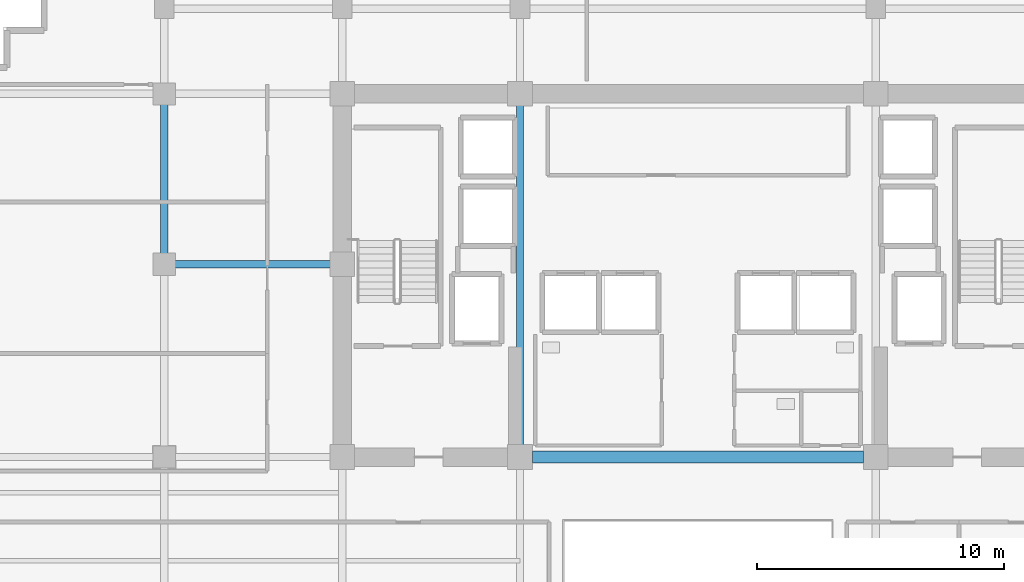
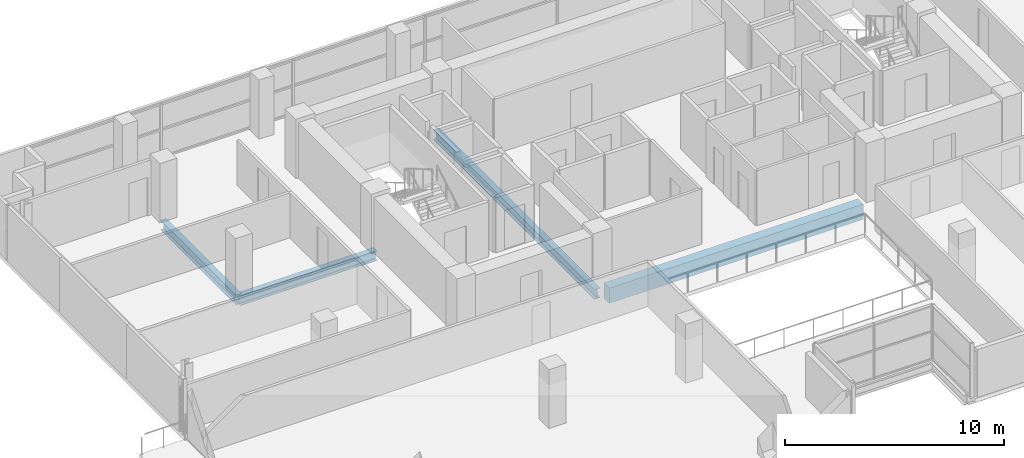
# One storey, part 9 of 28: 4 beams.
"""IFC4 building model written with IfcOpenShell, lengths in metres."""

import ifcopenshell
import ifcopenshell.guid

model = None  # the IFC model being written
_history = None  # IfcOwnerHistory: only IFC2X3 demands one
_inside = {}  # id of a spatial element -> (the spatial element, [elements in it])
_under = {}  # id of a project, library or spatial element -> (it, [spatial elements below it])
_declared = {}  # id of a project -> (the project, [libraries it declares])
_typed = {}  # id of a type object -> (the type object, [elements of that type])
_made_of = {}  # id of a material, layer set ... -> (it, [elements and type objects made of it])


def new_model(schema):
    """Start an empty IFC model of exactly this schema.

    Asked for "IFC4X3", IfcOpenShell would pick the latest addendum, in which some entities
    have other attributes; the version numbers below select the first issue.
    IFC2X3 requires an IfcOwnerHistory on every rooted entity: one is made here for all.
    """
    global model, _history
    if schema == "IFC4X3":
        model = ifcopenshell.file(schema_version=(4, 3, 0, 0))
    else:
        model = ifcopenshell.file(schema=schema)
    _inside.clear()
    _under.clear()
    _declared.clear()
    _typed.clear()
    _made_of.clear()
    _history = None
    if model.schema == "IFC2X3":
        org = make("IfcOrganization", Name="unknown")
        user = make(
            "IfcPersonAndOrganization",
            ThePerson=make("IfcPerson", FamilyName="unknown"),
            TheOrganization=org,
        )
        app = make(
            "IfcApplication",
            ApplicationDeveloper=org,
            Version="unknown",
            ApplicationFullName="unknown",
            ApplicationIdentifier="unknown",
        )
        _history = make(
            "IfcOwnerHistory",
            OwningUser=user,
            OwningApplication=app,
            ChangeAction="ADDED",
            CreationDate=0,
        )
    return model


def make(cls, **values):
    """One entity of the class cls with the attributes given. An attribute that is None is left unset."""
    return model.create_entity(
        cls, **{name: value for name, value in values.items() if value is not None}
    )


def rooted(cls, **values):
    """An entity with a GlobalId (a new one), such as an element, a storey or a relation."""
    return make(cls, GlobalId=ifcopenshell.guid.new(), OwnerHistory=_history, **values)


def si_unit(unit_type, name, prefix=None):
    """IfcSIUnit, for example si_unit("LENGTHUNIT", "METRE", prefix="MILLI")."""
    return make("IfcSIUnit", UnitType=unit_type, Prefix=prefix, Name=name)


def assignment(units):
    """IfcUnitAssignment: the units of a project."""
    return None if units is None else make("IfcUnitAssignment", Units=units)


def point(xyz):
    """IfcCartesianPoint."""
    return None if xyz is None else make("IfcCartesianPoint", Coordinates=xyz)


def direction(xyz):
    """IfcDirection."""
    return None if xyz is None else make("IfcDirection", DirectionRatios=xyz)


def frame(location, z_axis=None, x_axis=None):
    """IfcAxis2Placement3D, a coordinate frame: its origin and axes. An axis left out is left unset."""
    return make(
        "IfcAxis2Placement3D",
        Location=point(location),
        Axis=direction(z_axis),
        RefDirection=direction(x_axis),
    )


def frame_2d(location, x_axis=None):
    """IfcAxis2Placement2D, a coordinate frame in the plane: its origin and x axis."""
    return make(
        "IfcAxis2Placement2D", Location=point(location), RefDirection=direction(x_axis)
    )


def origin():
    """The frame at (0, 0, 0) with its axes left unset."""
    return frame((0.0, 0.0, 0.0))


def origin_2d():
    """The frame at (0, 0) in the plane with its x axis left unset."""
    return frame_2d((0.0, 0.0))


def place(relative_to, where):
    """IfcLocalPlacement: puts the frame where relative to a parent placement (None: the world)."""
    return make(
        "IfcLocalPlacement", PlacementRelTo=relative_to, RelativePlacement=where
    )


def context(
    kind, dimensions, precision=None, world=None, true_north=None, identifier=None
):
    """IfcGeometricRepresentationContext, for example the 3D "Model" context."""
    return make(
        "IfcGeometricRepresentationContext",
        ContextIdentifier=identifier,
        ContextType=kind,
        CoordinateSpaceDimension=dimensions,
        Precision=precision,
        WorldCoordinateSystem=world,
        TrueNorth=true_north,
    )


def subcontext(parent, identifier, kind, view, scale=None):
    """IfcGeometricRepresentationSubContext, for example "Body" below "Model"."""
    return make(
        "IfcGeometricRepresentationSubContext",
        ContextIdentifier=identifier,
        ContextType=kind,
        ParentContext=parent,
        TargetScale=scale,
        TargetView=view,
    )


def project(units=None, contexts=None):
    """IfcProject with its units and contexts."""
    return rooted(
        "IfcProject",
        Name="project",
        RepresentationContexts=contexts,
        UnitsInContext=assignment(units),
    )


def spatial(cls, under=None, at=None, **own):
    """A site, building, storey or space (cls), placed at a placement, below another one or the project."""
    s = rooted(cls, ObjectPlacement=at, **own)
    if under is not None:
        _under.setdefault(under.id(), (under, []))[1].append(s)
    return s


def profile(cls, at=None, kind="AREA", **sizes):
    """A parametric profile (cls). Its sizes go by their IFC names, for example OverallWidth=200.0."""
    return make(cls, ProfileType=kind, Position=at, **sizes)


def rectangle(**sizes):
    """IfcRectangleProfileDef."""
    return profile("IfcRectangleProfileDef", **sizes)


def i_section(**sizes):
    """IfcIShapeProfileDef."""
    return profile("IfcIShapeProfileDef", **sizes)


def extrude(swept, where, along, depth):
    """IfcExtrudedAreaSolid: the profile swept, set in the frame where, extruded along a direction by depth."""
    return make(
        "IfcExtrudedAreaSolid",
        SweptArea=swept,
        Position=where,
        ExtrudedDirection=direction(along),
        Depth=depth,
    )


def shape(context_of_items, identifier, shape_type, items):
    """IfcShapeRepresentation: the items that make up one representation, for example the "Body"."""
    return make(
        "IfcShapeRepresentation",
        ContextOfItems=context_of_items,
        RepresentationIdentifier=identifier,
        RepresentationType=shape_type,
        Items=items,
    )


def material(Name=None, Category=None):
    """IfcMaterial."""
    return make("IfcMaterial", Name=Name, Category=Category)


def material_profile(
    of_material, cross_section, Name=None, Category=None, Priority=None
):
    """IfcMaterialProfile: a cross section and its material."""
    return make(
        "IfcMaterialProfile",
        Name=Name,
        Material=of_material,
        Profile=cross_section,
        Priority=Priority,
        Category=Category,
    )


def profile_set(profiles, Name=None, composite=None):
    """IfcMaterialProfileSet."""
    return make(
        "IfcMaterialProfileSet",
        Name=Name,
        MaterialProfiles=profiles,
        CompositeProfile=composite,
    )


def made_of(thing, what):
    """Note that an element or type object is made of a material, layer set ...; save() writes the relation."""
    if what is not None:
        _made_of.setdefault(what.id(), (what, []))[1].append(thing)
    return thing


def type_object(cls, material=None, **own):
    """A type object (cls), such as IfcWallType, which elements share."""
    return made_of(rooted(cls, **own), material)


def element(
    cls,
    number,
    at=None,
    inside=None,
    cuts=None,
    type_object=None,
    material=None,
    context=None,
    identifier="Body",
    shape_type=None,
    held_by="IfcProductDefinitionShape",
    body=None,
    shapes=None,
    **own,
):
    """One element of the class cls, such as IfcWall. Its Tag is "e" and its number.

    at: its placement. inside: the storey or other place that contains it. cuts: it is an
    opening in that element (IfcRelVoidsElement). A single representation is given by context,
    identifier, shape_type and body (its items); several are given by shapes. held_by: the class
    of the entity that holds the representations. save() writes the other relations.
    """
    e = rooted(cls, Tag="e%d" % number, ObjectPlacement=at, **own)
    if body is not None:
        shapes = [shape(context, identifier, shape_type, body)]
    if shapes is not None:
        e.Representation = make(held_by, Representations=shapes)
    if inside is not None:
        _inside.setdefault(inside.id(), (inside, []))[1].append(e)
    if cuts is not None:
        rooted(
            "IfcRelVoidsElement", RelatingBuildingElement=cuts, RelatedOpeningElement=e
        )
    if type_object is not None:
        _typed.setdefault(type_object.id(), (type_object, []))[1].append(e)
    return made_of(e, material)


def aggregate(whole, parts):
    """IfcRelAggregates: a whole, such as a stair, and the parts it consists of."""
    return rooted("IfcRelAggregates", RelatingObject=whole, RelatedObjects=parts)


def save(model, path):
    """Write the relations noted so far, then the file.

    IfcRelAggregates (storeys below a building ...), IfcRelContainedInSpatialStructure (elements
    in a storey), IfcRelDefinesByType, IfcRelAssociatesMaterial and IfcRelDeclares: one each for
    every whole, place, type object, material and project.
    """
    for whole, parts in _under.values():
        aggregate(whole, parts)
    for where, things in _inside.values():
        rooted(
            "IfcRelContainedInSpatialStructure",
            RelatedElements=things,
            RelatingStructure=where,
        )
    for kind, things in _typed.values():
        rooted("IfcRelDefinesByType", RelatedObjects=things, RelatingType=kind)
    for what, things in _made_of.values():
        rooted("IfcRelAssociatesMaterial", RelatedObjects=things, RelatingMaterial=what)
    for by, libraries in _declared.values():
        rooted("IfcRelDeclares", RelatingContext=by, RelatedDefinitions=libraries)
    model.write(path)


model = new_model("IFC4")

# Units and contexts
model_context = context("Model", 3, precision=1e-05, world=origin(), true_north=direction((0.0, 1.0)))
body_context = subcontext(model_context, "Body", "Model", "MODEL_VIEW")
ifc_project = project(units=[si_unit("LENGTHUNIT", "METRE"), si_unit("AREAUNIT", "SQUARE_METRE"), si_unit("VOLUMEUNIT", "CUBIC_METRE"), si_unit("PLANEANGLEUNIT", "RADIAN"), si_unit("MASSUNIT", "GRAM", prefix="KILO")], contexts=[model_context])

# Site, building, storey
site_placement = place(None, origin())
site = spatial("IfcSite", under=ifc_project, at=site_placement, CompositionType="ELEMENT")
building_placement = place(site_placement, origin())
building = spatial("IfcBuilding", under=site, at=building_placement, Name="Zarnakvel Exchange Tower", CompositionType="ELEMENT")
storey_placement = place(building_placement, frame((0.0, 0.0, 103.300048828125)))
storey = spatial("IfcBuildingStorey", under=building, at=storey_placement, Name="L28", CompositionType="ELEMENT", Elevation=103.300048828125)

# Beams
ifc_material_1 = material(Name="Concrete C60/75", Category="concrete")
ifc_material_profile_1 = material_profile(ifc_material_1, rectangle(XDim=0.5, YDim=0.85009765625, at=origin_2d()))
ifc_profile_set_1 = profile_set([ifc_material_profile_1], Name="Concrete C60/75")
beam_type_1 = type_object("IfcBeamType", Name="CB-02", PredefinedType="LINTEL", material=ifc_profile_set_1)
beam_1_placement = place(storey_placement, frame((-6.699951171875, -1.199951171875, -0.650146484375), z_axis=(1.0, 0.0, 0.0), x_axis=(0.0, 1.0, 0.0)))
element("IfcBeam", 1, at=beam_1_placement, inside=storey, type_object=beam_type_1, Name="L28 Rear Core South Coupling Beam (CB-02)", PredefinedType="LINTEL", context=body_context, shape_type="SweptSolid", body=[
    extrude(rectangle(XDim=0.5, YDim=0.85009765625, at=origin_2d()), origin(), (0.0, 0.0, 1.0), 13.39990234375),
])
ifc_material_2 = material(Name="Steel S355", Category="steel")
ifc_material_profile_2 = material_profile(ifc_material_2, i_section(OverallWidth=0.300048828125, OverallDepth=0.550048828125, WebThickness=0.014892578125, FlangeThickness=0.029052734375, FilletRadius=0.027099609375, at=origin_2d()))
ifc_profile_set_2 = profile_set([ifc_material_profile_2], Name="Steel S355")
beam_type_2 = type_object("IfcBeamType", Name="G-05", PredefinedType="BEAM", material=ifc_profile_set_2)
beam_2_placement = place(storey_placement, frame((-21.60009765625, 6.60009765625, -0.5), z_axis=(1.0, 0.0, 0.0), x_axis=(0.0, 1.0, 0.0)))
element("IfcBeam", 2, at=beam_2_placement, inside=storey, type_object=beam_type_2, Name="L28 Tower E-W Frame Beam", PredefinedType="BEAM", context=body_context, shape_type="SweptSolid", body=[
    extrude(i_section(OverallWidth=0.300048828125, OverallDepth=0.550048828125, WebThickness=0.014892578125, FlangeThickness=0.029052734375, FilletRadius=0.027099609375, at=origin_2d()), origin(), (0.0, 0.0, 1.0), 7.2001953125),
])
beam_3_placement = place(storey_placement, frame((-21.60009765625, 6.60009765625, -0.5), z_axis=(0.0, 1.0, 0.0), x_axis=(-1.0, 0.0, 0.0)))
element("IfcBeam", 3, at=beam_3_placement, inside=storey, type_object=beam_type_2, Name="L28 Tower N-S Frame Beam", PredefinedType="BEAM", context=body_context, shape_type="SweptSolid", body=[
    extrude(i_section(OverallWidth=0.300048828125, OverallDepth=0.550048828125, WebThickness=0.014892578125, FlangeThickness=0.029052734375, FilletRadius=0.027099609375, at=origin_2d()), origin(), (0.0, 0.0, 1.0), 6.89990234375),
])
beam_4_placement = place(storey_placement, frame((-7.199951171875, -1.199951171875, -0.5), z_axis=(0.0, 1.0, 0.0), x_axis=(-1.0, 0.0, 0.0)))
element("IfcBeam", 4, at=beam_4_placement, inside=storey, type_object=beam_type_2, Name="L28 Tower N-S Frame Beam", PredefinedType="BEAM", context=body_context, shape_type="SweptSolid", body=[
    extrude(i_section(OverallWidth=0.300048828125, OverallDepth=0.550048828125, WebThickness=0.014892578125, FlangeThickness=0.029052734375, FilletRadius=0.027099609375, at=origin_2d()), origin(), (0.0, 0.0, 1.0), 14.699951171875),
])

save(model, "model.ifc")
